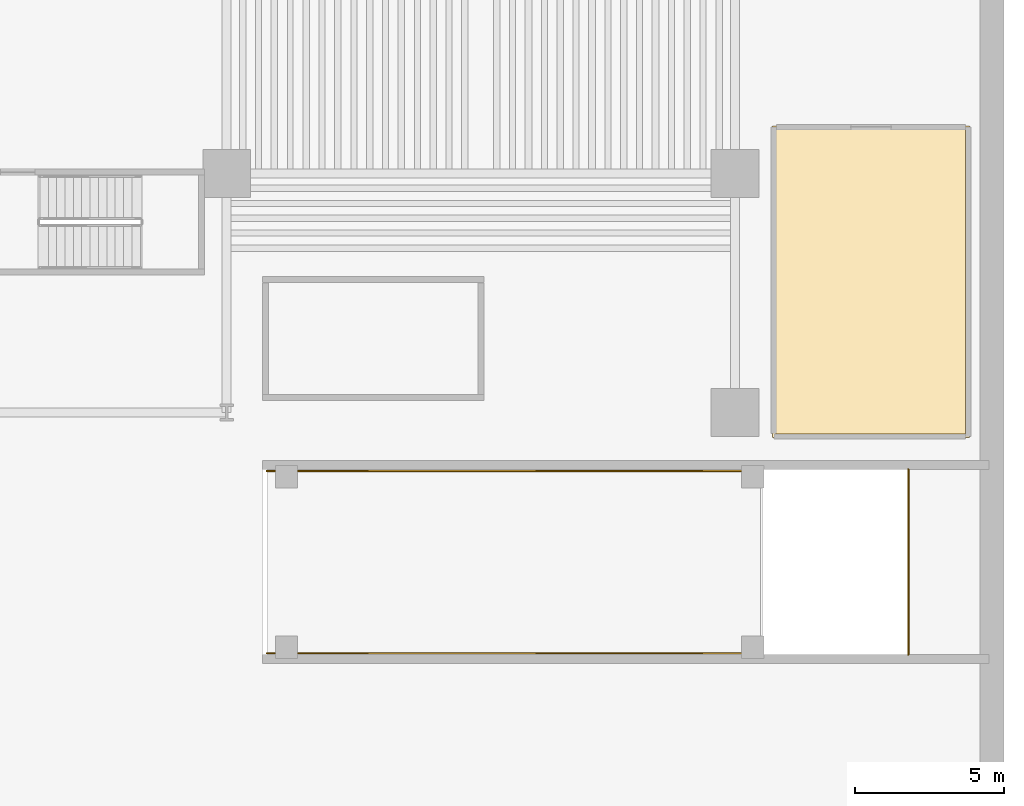
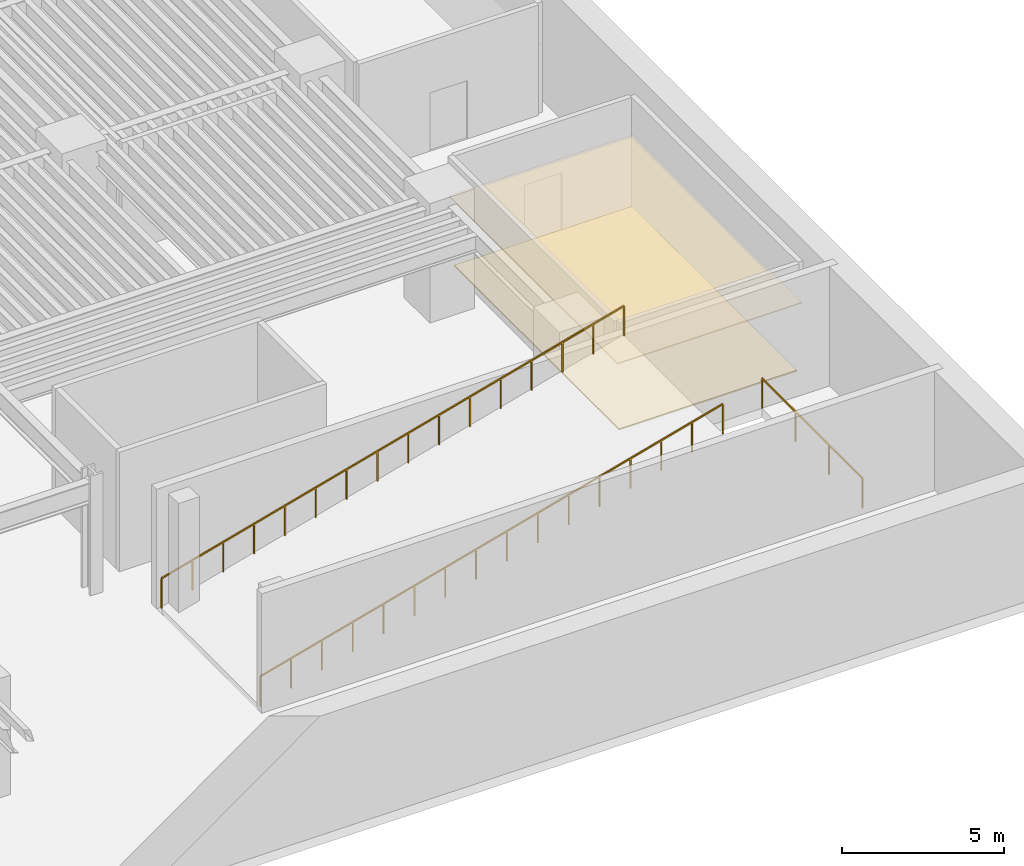
# One storey, part 7 of 10: 3 railings, 2 coverings.
"""IFC4 building model written with IfcOpenShell, lengths in metres."""

import ifcopenshell
import ifcopenshell.guid

model = None  # the IFC model being written
_history = None  # IfcOwnerHistory: only IFC2X3 demands one
_inside = {}  # id of a spatial element -> (the spatial element, [elements in it])
_under = {}  # id of a project, library or spatial element -> (it, [spatial elements below it])
_declared = {}  # id of a project -> (the project, [libraries it declares])
_typed = {}  # id of a type object -> (the type object, [elements of that type])
_made_of = {}  # id of a material, layer set ... -> (it, [elements and type objects made of it])


def new_model(schema):
    """Start an empty IFC model of exactly this schema.

    Asked for "IFC4X3", IfcOpenShell would pick the latest addendum, in which some entities
    have other attributes; the version numbers below select the first issue.
    IFC2X3 requires an IfcOwnerHistory on every rooted entity: one is made here for all.
    """
    global model, _history
    if schema == "IFC4X3":
        model = ifcopenshell.file(schema_version=(4, 3, 0, 0))
    else:
        model = ifcopenshell.file(schema=schema)
    _inside.clear()
    _under.clear()
    _declared.clear()
    _typed.clear()
    _made_of.clear()
    _history = None
    if model.schema == "IFC2X3":
        org = make("IfcOrganization", Name="unknown")
        user = make(
            "IfcPersonAndOrganization",
            ThePerson=make("IfcPerson", FamilyName="unknown"),
            TheOrganization=org,
        )
        app = make(
            "IfcApplication",
            ApplicationDeveloper=org,
            Version="unknown",
            ApplicationFullName="unknown",
            ApplicationIdentifier="unknown",
        )
        _history = make(
            "IfcOwnerHistory",
            OwningUser=user,
            OwningApplication=app,
            ChangeAction="ADDED",
            CreationDate=0,
        )
    return model


def make(cls, **values):
    """One entity of the class cls with the attributes given. An attribute that is None is left unset."""
    return model.create_entity(
        cls, **{name: value for name, value in values.items() if value is not None}
    )


def rooted(cls, **values):
    """An entity with a GlobalId (a new one), such as an element, a storey or a relation."""
    return make(cls, GlobalId=ifcopenshell.guid.new(), OwnerHistory=_history, **values)


def si_unit(unit_type, name, prefix=None):
    """IfcSIUnit, for example si_unit("LENGTHUNIT", "METRE", prefix="MILLI")."""
    return make("IfcSIUnit", UnitType=unit_type, Prefix=prefix, Name=name)


def assignment(units):
    """IfcUnitAssignment: the units of a project."""
    return None if units is None else make("IfcUnitAssignment", Units=units)


def point(xyz):
    """IfcCartesianPoint."""
    return None if xyz is None else make("IfcCartesianPoint", Coordinates=xyz)


def direction(xyz):
    """IfcDirection."""
    return None if xyz is None else make("IfcDirection", DirectionRatios=xyz)


def frame(location, z_axis=None, x_axis=None):
    """IfcAxis2Placement3D, a coordinate frame: its origin and axes. An axis left out is left unset."""
    return make(
        "IfcAxis2Placement3D",
        Location=point(location),
        Axis=direction(z_axis),
        RefDirection=direction(x_axis),
    )


def frame_2d(location, x_axis=None):
    """IfcAxis2Placement2D, a coordinate frame in the plane: its origin and x axis."""
    return make(
        "IfcAxis2Placement2D", Location=point(location), RefDirection=direction(x_axis)
    )


def origin():
    """The frame at (0, 0, 0) with its axes left unset."""
    return frame((0.0, 0.0, 0.0))


def origin_2d():
    """The frame at (0, 0) in the plane with its x axis left unset."""
    return frame_2d((0.0, 0.0))


def place(relative_to, where):
    """IfcLocalPlacement: puts the frame where relative to a parent placement (None: the world)."""
    return make(
        "IfcLocalPlacement", PlacementRelTo=relative_to, RelativePlacement=where
    )


def context(
    kind, dimensions, precision=None, world=None, true_north=None, identifier=None
):
    """IfcGeometricRepresentationContext, for example the 3D "Model" context."""
    return make(
        "IfcGeometricRepresentationContext",
        ContextIdentifier=identifier,
        ContextType=kind,
        CoordinateSpaceDimension=dimensions,
        Precision=precision,
        WorldCoordinateSystem=world,
        TrueNorth=true_north,
    )


def subcontext(parent, identifier, kind, view, scale=None):
    """IfcGeometricRepresentationSubContext, for example "Body" below "Model"."""
    return make(
        "IfcGeometricRepresentationSubContext",
        ContextIdentifier=identifier,
        ContextType=kind,
        ParentContext=parent,
        TargetScale=scale,
        TargetView=view,
    )


def project(units=None, contexts=None):
    """IfcProject with its units and contexts."""
    return rooted(
        "IfcProject",
        Name="project",
        RepresentationContexts=contexts,
        UnitsInContext=assignment(units),
    )


def spatial(cls, under=None, at=None, **own):
    """A site, building, storey or space (cls), placed at a placement, below another one or the project."""
    s = rooted(cls, ObjectPlacement=at, **own)
    if under is not None:
        _under.setdefault(under.id(), (under, []))[1].append(s)
    return s


def polyline(points):
    """IfcPolyline through the points."""
    return make("IfcPolyline", Points=[point(p) for p in points])


def profile(cls, at=None, kind="AREA", **sizes):
    """A parametric profile (cls). Its sizes go by their IFC names, for example OverallWidth=200.0."""
    return make(cls, ProfileType=kind, Position=at, **sizes)


def rectangle(**sizes):
    """IfcRectangleProfileDef."""
    return profile("IfcRectangleProfileDef", **sizes)


def outline(outer, holes=None, kind="AREA"):
    """IfcArbitraryClosedProfileDef: a profile drawn as a closed curve; with holes, ...WithVoids."""
    if holes is None:
        return make("IfcArbitraryClosedProfileDef", ProfileType=kind, OuterCurve=outer)
    return make(
        "IfcArbitraryProfileDefWithVoids",
        ProfileType=kind,
        OuterCurve=outer,
        InnerCurves=holes,
    )


def extrude(swept, where, along, depth):
    """IfcExtrudedAreaSolid: the profile swept, set in the frame where, extruded along a direction by depth."""
    return make(
        "IfcExtrudedAreaSolid",
        SweptArea=swept,
        Position=where,
        ExtrudedDirection=direction(along),
        Depth=depth,
    )


def shape(context_of_items, identifier, shape_type, items):
    """IfcShapeRepresentation: the items that make up one representation, for example the "Body"."""
    return make(
        "IfcShapeRepresentation",
        ContextOfItems=context_of_items,
        RepresentationIdentifier=identifier,
        RepresentationType=shape_type,
        Items=items,
    )


def material(Name=None, Category=None):
    """IfcMaterial."""
    return make("IfcMaterial", Name=Name, Category=Category)


def layer(
    of_material, thickness, ventilated=None, Name=None, Category=None, Priority=None
):
    """IfcMaterialLayer: one layer of a wall or slab, of a material (None: an air gap)."""
    return make(
        "IfcMaterialLayer",
        Material=of_material,
        LayerThickness=thickness,
        IsVentilated=ventilated,
        Name=Name,
        Category=Category,
        Priority=Priority,
    )


def layer_set(layers, Name=None):
    """IfcMaterialLayerSet."""
    return make("IfcMaterialLayerSet", MaterialLayers=layers, LayerSetName=Name)


def made_of(thing, what):
    """Note that an element or type object is made of a material, layer set ...; save() writes the relation."""
    if what is not None:
        _made_of.setdefault(what.id(), (what, []))[1].append(thing)
    return thing


def type_object(cls, material=None, **own):
    """A type object (cls), such as IfcWallType, which elements share."""
    return made_of(rooted(cls, **own), material)


def element(
    cls,
    number,
    at=None,
    inside=None,
    cuts=None,
    type_object=None,
    material=None,
    context=None,
    identifier="Body",
    shape_type=None,
    held_by="IfcProductDefinitionShape",
    body=None,
    shapes=None,
    **own,
):
    """One element of the class cls, such as IfcWall. Its Tag is "e" and its number.

    at: its placement. inside: the storey or other place that contains it. cuts: it is an
    opening in that element (IfcRelVoidsElement). A single representation is given by context,
    identifier, shape_type and body (its items); several are given by shapes. held_by: the class
    of the entity that holds the representations. save() writes the other relations.
    """
    e = rooted(cls, Tag="e%d" % number, ObjectPlacement=at, **own)
    if body is not None:
        shapes = [shape(context, identifier, shape_type, body)]
    if shapes is not None:
        e.Representation = make(held_by, Representations=shapes)
    if inside is not None:
        _inside.setdefault(inside.id(), (inside, []))[1].append(e)
    if cuts is not None:
        rooted(
            "IfcRelVoidsElement", RelatingBuildingElement=cuts, RelatedOpeningElement=e
        )
    if type_object is not None:
        _typed.setdefault(type_object.id(), (type_object, []))[1].append(e)
    return made_of(e, material)


def aggregate(whole, parts):
    """IfcRelAggregates: a whole, such as a stair, and the parts it consists of."""
    return rooted("IfcRelAggregates", RelatingObject=whole, RelatedObjects=parts)


def save(model, path):
    """Write the relations noted so far, then the file.

    IfcRelAggregates (storeys below a building ...), IfcRelContainedInSpatialStructure (elements
    in a storey), IfcRelDefinesByType, IfcRelAssociatesMaterial and IfcRelDeclares: one each for
    every whole, place, type object, material and project.
    """
    for whole, parts in _under.values():
        aggregate(whole, parts)
    for where, things in _inside.values():
        rooted(
            "IfcRelContainedInSpatialStructure",
            RelatedElements=things,
            RelatingStructure=where,
        )
    for kind, things in _typed.values():
        rooted("IfcRelDefinesByType", RelatedObjects=things, RelatingType=kind)
    for what, things in _made_of.values():
        rooted("IfcRelAssociatesMaterial", RelatedObjects=things, RelatingMaterial=what)
    for by, libraries in _declared.values():
        rooted("IfcRelDeclares", RelatingContext=by, RelatedDefinitions=libraries)
    model.write(path)


model = new_model("IFC4")

# Units and contexts
model_context = context("Model", 3, precision=1e-05, world=origin(), true_north=direction((0.0, 1.0)))
body_context = subcontext(model_context, "Body", "Model", "MODEL_VIEW")
ifc_project = project(units=[si_unit("LENGTHUNIT", "METRE"), si_unit("AREAUNIT", "SQUARE_METRE"), si_unit("VOLUMEUNIT", "CUBIC_METRE"), si_unit("PLANEANGLEUNIT", "RADIAN"), si_unit("MASSUNIT", "GRAM", prefix="KILO")], contexts=[model_context])

# Site, building, storey
site_placement = place(None, origin())
site = spatial("IfcSite", under=ifc_project, at=site_placement, CompositionType="ELEMENT")
building_placement = place(site_placement, origin())
building = spatial("IfcBuilding", under=site, at=building_placement, Name="Caeloran Harvest Quay", CompositionType="ELEMENT")
storey_placement = place(building_placement, frame((0.0, 0.0, -4.5)))
storey = spatial("IfcBuildingStorey", under=building, at=storey_placement, Name="B01", CompositionType="ELEMENT", Elevation=-4.5)

# Coverings
ifc_material_1 = material(Name="Perforated Mineral-Fibre Acoustic Ceiling Tile", Category="ceiling")
ifc_layer_1 = layer(ifc_material_1, 0.0400390625, Name="Perforated Mineral-Fibre Acoustic Ceiling Tile")
ifc_layer_set_1 = layer_set([ifc_layer_1], Name="Perforated Mineral-Fibre Acoustic Ceiling Tile")
covering_type_1 = type_object("IfcCoveringType", Name="COV-CEILING-ACOUSTIC", PredefinedType="CEILING", material=ifc_layer_set_1)
covering_1_placement = place(storey_placement, frame((0.0, 0.0, 2.60009765625)))
element("IfcCovering", 1, at=covering_1_placement, inside=storey, type_object=covering_type_1, Name="Basement Car Park Ventilation Fan Plant Acoustic Ceiling", PredefinedType="CEILING", context=body_context, shape_type="SweptSolid", body=[
    extrude(outline(polyline([(58.840087890625, 24.590087890625), (58.840087890625, 14.159912109375), (52.260009765625, 14.159912109375), (52.260009765625, 24.590087890625), (58.840087890625, 24.590087890625)])), origin(), (0.0, 0.0, 1.0), 0.039794921875),
])
ifc_material_2 = material(Name="Calcium-Sulphate Raised Access Floor and Terrazzo Finish", Category="flooring")
ifc_layer_2 = layer(ifc_material_2, 0.050048828125, Name="Calcium-Sulphate Raised Access Floor and Terrazzo Finish")
ifc_layer_set_2 = layer_set([ifc_layer_2], Name="Calcium-Sulphate Raised Access Floor and Terrazzo Finish")
covering_type_2 = type_object("IfcCoveringType", Name="COV-FLOOR-RAISED", PredefinedType="FLOORING", material=ifc_layer_set_2)
covering_2_placement = place(storey_placement, origin())
element("IfcCovering", 2, at=covering_2_placement, inside=storey, type_object=covering_type_2, Name="Basement Car Park Ventilation Fan Plant Raised Finish Flooring", PredefinedType="FLOORING", context=body_context, shape_type="SweptSolid", body=[
    extrude(outline(polyline([(58.719970703125, 24.469970703125), (58.719970703125, 14.280029296875), (52.3798828125, 14.280029296875), (52.3798828125, 24.469970703125), (58.719970703125, 24.469970703125)])), origin(), (0.0, 0.0, 1.0), 0.050048828125),
])

# Railings
ifc_material_3 = material(Name="Powder-Coated Steel Post and Laminated Glass Guardrail", Category="steel")
ifc_layer_3 = layer(ifc_material_3, 0.06005859375, Name="Powder-Coated Steel Post and Laminated Glass Guardrail")
ifc_layer_set_3 = layer_set([ifc_layer_3], Name="Powder-Coated Steel Post and Laminated Glass Guardrail")
railing_type = type_object("IfcRailingType", Name="GUARD-ATRIUM-1150", PredefinedType="GUARDRAIL", material=ifc_layer_set_3)
railing_1_placement = place(storey_placement, frame((56.800048828125, 6.89990234375, 0.0)))
element("IfcRailing", 3, at=railing_1_placement, inside=storey, type_object=railing_type, Name="B01 Vehicle Ramp Opening End Guard", PredefinedType="GUARDRAIL", context=body_context, shape_type="SweptSolid", body=[
    extrude(rectangle(XDim=0.048095703125, YDim=0.048095703125, at=origin_2d()), frame((0.0, 0.0, 1.1259765625), z_axis=(0.0, 1.0, 0.0), x_axis=(-1.0, 0.0, 0.0)), (0.0, 0.0, 1.0), 6.2001953125),
    extrude(rectangle(XDim=0.0419921875, YDim=0.0419921875, at=origin_2d()), origin(), (0.0, 0.0, 1.0), 1.101806640625),
    extrude(rectangle(XDim=0.0419921875, YDim=0.0419921875, at=origin_2d()), frame((0.0, 2.066650390625, 0.0)), (0.0, 0.0, 1.0), 1.101806640625),
    extrude(rectangle(XDim=0.0419921875, YDim=0.0419921875, at=origin_2d()), frame((0.0, 4.133544921875, 0.0)), (0.0, 0.0, 1.0), 1.101806640625),
    extrude(rectangle(XDim=0.0419921875, YDim=0.0419921875, at=origin_2d()), frame((0.0, 6.2001953125, 0.0)), (0.0, 0.0, 1.0), 1.101806640625),
])
railing_2_placement = place(storey_placement, frame((35.35009765625, 6.949951171875, 0.0)))
element("IfcRailing", 4, at=railing_2_placement, inside=storey, type_object=railing_type, Name="B01 Vehicle Ramp VR-1 Sloped S Guardrail", PredefinedType="GUARDRAIL", context=body_context, shape_type="SweptSolid", body=[
    extrude(rectangle(XDim=0.048095703125, YDim=0.048095703125, at=origin_2d()), frame((0.0, 0.0, 1.1259765625), z_axis=(0.964763821238, 0.0, 0.263117405792), x_axis=(0.0, 1.0, 0.0)), (0.0, 0.0, 1.0), 17.1025390625),
    extrude(rectangle(XDim=0.0419921875, YDim=0.0419921875, at=origin_2d()), origin(), (0.0, 0.0, 1.0), 1.101806640625),
    extrude(rectangle(XDim=0.0419921875, YDim=0.0419921875, at=origin_2d()), frame((1.10009765625, 0.0, 0.300048828125)), (0.0, 0.0, 1.0), 1.101806640625),
    extrude(rectangle(XDim=0.0419921875, YDim=0.0419921875, at=origin_2d()), frame((2.199951171875, 0.0, 0.60009765625)), (0.0, 0.0, 1.0), 1.101806640625),
    extrude(rectangle(XDim=0.0419921875, YDim=0.0419921875, at=origin_2d()), frame((3.300048828125, 0.0, 0.89990234375)), (0.0, 0.0, 1.0), 1.101806640625),
    extrude(rectangle(XDim=0.0419921875, YDim=0.0419921875, at=origin_2d()), frame((4.39990234375, 0.0, 1.199951171875)), (0.0, 0.0, 1.0), 1.101806640625),
    extrude(rectangle(XDim=0.0419921875, YDim=0.0419921875, at=origin_2d()), frame((5.5, 0.0, 1.5)), (0.0, 0.0, 1.0), 1.101806640625),
    extrude(rectangle(XDim=0.0419921875, YDim=0.0419921875, at=origin_2d()), frame((6.60009765625, 0.0, 1.800048828125)), (0.0, 0.0, 1.0), 1.101806640625),
    extrude(rectangle(XDim=0.0419921875, YDim=0.0419921875, at=origin_2d()), frame((7.699951171875, 0.0, 2.10009765625)), (0.0, 0.0, 1.0), 1.101806640625),
    extrude(rectangle(XDim=0.0419921875, YDim=0.0419921875, at=origin_2d()), frame((8.800048828125, 0.0, 2.39990234375)), (0.0, 0.0, 1.0), 1.101806640625),
    extrude(rectangle(XDim=0.0419921875, YDim=0.0419921875, at=origin_2d()), frame((9.89990234375, 0.0, 2.699951171875)), (0.0, 0.0, 1.0), 1.101806640625),
    extrude(rectangle(XDim=0.0419921875, YDim=0.0419921875, at=origin_2d()), frame((11.0, 0.0, 3.0)), (0.0, 0.0, 1.0), 1.101806640625),
    extrude(rectangle(XDim=0.0419921875, YDim=0.0419921875, at=origin_2d()), frame((12.10009765625, 0.0, 3.300048828125)), (0.0, 0.0, 1.0), 1.101806640625),
    extrude(rectangle(XDim=0.0419921875, YDim=0.0419921875, at=origin_2d()), frame((13.199951171875, 0.0, 3.60009765625)), (0.0, 0.0, 1.0), 1.101806640625),
    extrude(rectangle(XDim=0.0419921875, YDim=0.0419921875, at=origin_2d()), frame((14.300048828125, 0.0, 3.89990234375)), (0.0, 0.0, 1.0), 1.101806640625),
    extrude(rectangle(XDim=0.0419921875, YDim=0.0419921875, at=origin_2d()), frame((15.39990234375, 0.0, 4.199951171875)), (0.0, 0.0, 1.0), 1.101806640625),
    extrude(rectangle(XDim=0.0419921875, YDim=0.0419921875, at=origin_2d()), frame((16.5, 0.0, 4.5)), (0.0, 0.0, 1.0), 1.101806640625),
])
railing_3_placement = place(storey_placement, frame((35.35009765625, 13.050048828125, 0.0)))
element("IfcRailing", 5, at=railing_3_placement, inside=storey, type_object=railing_type, Name="B01 Vehicle Ramp VR-1 Sloped N Guardrail", PredefinedType="GUARDRAIL", context=body_context, shape_type="SweptSolid", body=[
    extrude(rectangle(XDim=0.048095703125, YDim=0.048095703125, at=origin_2d()), frame((0.0, 0.0, 1.1259765625), z_axis=(0.964763821238, 0.0, 0.263117405792), x_axis=(0.0, 1.0, 0.0)), (0.0, 0.0, 1.0), 17.1025390625),
    extrude(rectangle(XDim=0.0419921875, YDim=0.0419921875, at=origin_2d()), origin(), (0.0, 0.0, 1.0), 1.101806640625),
    extrude(rectangle(XDim=0.0419921875, YDim=0.0419921875, at=origin_2d()), frame((1.10009765625, 0.0, 0.300048828125)), (0.0, 0.0, 1.0), 1.101806640625),
    extrude(rectangle(XDim=0.0419921875, YDim=0.0419921875, at=origin_2d()), frame((2.199951171875, 0.0, 0.60009765625)), (0.0, 0.0, 1.0), 1.101806640625),
    extrude(rectangle(XDim=0.0419921875, YDim=0.0419921875, at=origin_2d()), frame((3.300048828125, 0.0, 0.89990234375)), (0.0, 0.0, 1.0), 1.101806640625),
    extrude(rectangle(XDim=0.0419921875, YDim=0.0419921875, at=origin_2d()), frame((4.39990234375, 0.0, 1.199951171875)), (0.0, 0.0, 1.0), 1.101806640625),
    extrude(rectangle(XDim=0.0419921875, YDim=0.0419921875, at=origin_2d()), frame((5.5, 0.0, 1.5)), (0.0, 0.0, 1.0), 1.101806640625),
    extrude(rectangle(XDim=0.0419921875, YDim=0.0419921875, at=origin_2d()), frame((6.60009765625, 0.0, 1.800048828125)), (0.0, 0.0, 1.0), 1.101806640625),
    extrude(rectangle(XDim=0.0419921875, YDim=0.0419921875, at=origin_2d()), frame((7.699951171875, 0.0, 2.10009765625)), (0.0, 0.0, 1.0), 1.101806640625),
    extrude(rectangle(XDim=0.0419921875, YDim=0.0419921875, at=origin_2d()), frame((8.800048828125, 0.0, 2.39990234375)), (0.0, 0.0, 1.0), 1.101806640625),
    extrude(rectangle(XDim=0.0419921875, YDim=0.0419921875, at=origin_2d()), frame((9.89990234375, 0.0, 2.699951171875)), (0.0, 0.0, 1.0), 1.101806640625),
    extrude(rectangle(XDim=0.0419921875, YDim=0.0419921875, at=origin_2d()), frame((11.0, 0.0, 3.0)), (0.0, 0.0, 1.0), 1.101806640625),
    extrude(rectangle(XDim=0.0419921875, YDim=0.0419921875, at=origin_2d()), frame((12.10009765625, 0.0, 3.300048828125)), (0.0, 0.0, 1.0), 1.101806640625),
    extrude(rectangle(XDim=0.0419921875, YDim=0.0419921875, at=origin_2d()), frame((13.199951171875, 0.0, 3.60009765625)), (0.0, 0.0, 1.0), 1.101806640625),
    extrude(rectangle(XDim=0.0419921875, YDim=0.0419921875, at=origin_2d()), frame((14.300048828125, 0.0, 3.89990234375)), (0.0, 0.0, 1.0), 1.101806640625),
    extrude(rectangle(XDim=0.0419921875, YDim=0.0419921875, at=origin_2d()), frame((15.39990234375, 0.0, 4.199951171875)), (0.0, 0.0, 1.0), 1.101806640625),
    extrude(rectangle(XDim=0.0419921875, YDim=0.0419921875, at=origin_2d()), frame((16.5, 0.0, 4.5)), (0.0, 0.0, 1.0), 1.101806640625),
])

save(model, "model.ifc")
